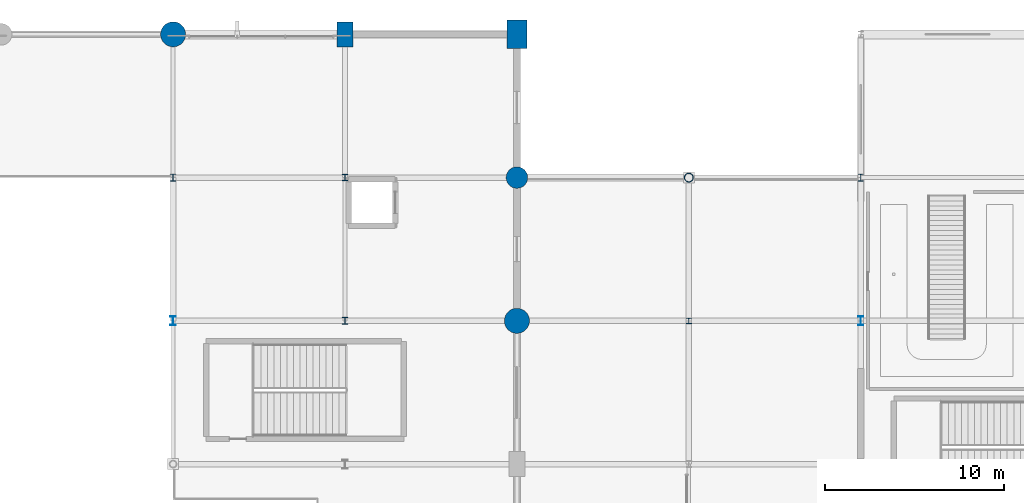
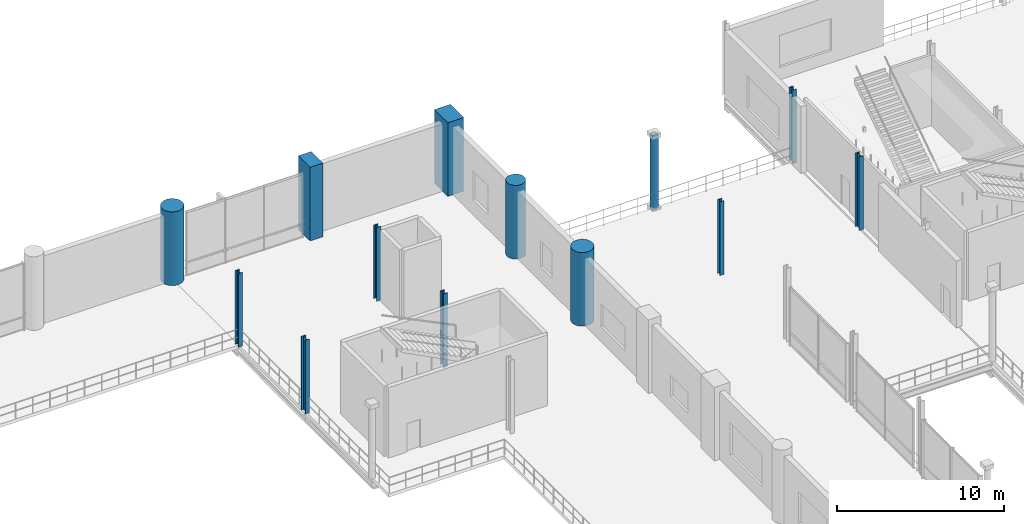
# One storey, part 24 of 129: 13 columns.
"""IFC4 building model written with IfcOpenShell, lengths in metres."""

from ifc_helpers import new_model, si_unit, direction, frame, origin, origin_2d, place, context, subcontext, project, spatial, rectangle, circle, hollow_circle, i_section, extrude, material, material_profile, profile_set, type_object, element, save


model = new_model("IFC4")

# Units and contexts
model_context = context("Model", 3, precision=1e-05, world=origin(), true_north=direction((0.0, 1.0)))
body_context = subcontext(model_context, "Body", "Model", "MODEL_VIEW")
ifc_project = project(units=[si_unit("LENGTHUNIT", "METRE"), si_unit("AREAUNIT", "SQUARE_METRE"), si_unit("VOLUMEUNIT", "CUBIC_METRE"), si_unit("PLANEANGLEUNIT", "RADIAN"), si_unit("MASSUNIT", "GRAM", prefix="KILO")], contexts=[model_context])

# Site, building, storey
site_placement = place(None, origin())
site = spatial("IfcSite", under=ifc_project, at=site_placement, CompositionType="ELEMENT")
building_placement = place(site_placement, origin())
building = spatial("IfcBuilding", under=site, at=building_placement, Name="Danafjord Basin Convention Centre", CompositionType="ELEMENT")
storey_placement = place(building_placement, frame((0.0, 0.0, 6.0)))
storey = spatial("IfcBuildingStorey", under=building, at=storey_placement, Name="L01", CompositionType="ELEMENT", Elevation=6.0)

# Columns
ifc_material_1 = material(Name="Steel S355", Category="steel")
ifc_material_profile_1 = material_profile(ifc_material_1, hollow_circle(Radius=0.25390625, WallThickness=0.02490234375, at=origin_2d()), Name="CHS 508.0x25.0")
ifc_profile_set_1 = profile_set([ifc_material_profile_1], Name="Steel S355")
column_type_1 = type_object("IfcColumnType", Name="COL-C-CHS508", PredefinedType="COLUMN", material=ifc_profile_set_1)
column_1_placement = place(storey_placement, frame((124.800048828125, 136.0, 0.0), z_axis=(0.0, 0.0, 1.0), x_axis=(1.0, 0.0, 0.0)))
element("IfcColumn", 1, at=column_1_placement, inside=storey, type_object=column_type_1, Name="L01 column C-CHS508 at (124.8, 136.0)", PredefinedType="COLUMN", context=body_context, shape_type="SweptSolid", body=[
    extrude(hollow_circle(Radius=0.25390625, WallThickness=0.02490234375, at=origin_2d()), origin(), (0.0, 0.0, 1.0), 5.39990234375),
])
ifc_material_profile_2 = material_profile(ifc_material_1, i_section(OverallWidth=0.300048828125, OverallDepth=0.300048828125, WebThickness=0.010986328125, FlangeThickness=0.01904296875, FilletRadius=0.027099609375, at=origin_2d()), Name="HEB 300")
ifc_profile_set_2 = profile_set([ifc_material_profile_2], Name="Steel S355")
column_type_2 = type_object("IfcColumnType", Name="COL-C-HEB300", PredefinedType="COLUMN", material=ifc_profile_set_2)
column_2_placement = place(storey_placement, frame((124.800048828125, 128.0, 0.0), z_axis=(0.0, 0.0, 1.0), x_axis=(1.0, 0.0, 0.0)))
element("IfcColumn", 2, at=column_2_placement, inside=storey, type_object=column_type_2, Name="L01 column C-HEB300 at (124.8, 128.0)", PredefinedType="COLUMN", context=body_context, shape_type="SweptSolid", body=[
    extrude(i_section(OverallWidth=0.300048828125, OverallDepth=0.300048828125, WebThickness=0.010986328125, FlangeThickness=0.01904296875, FilletRadius=0.027099609375, at=origin_2d()), origin(), (0.0, 0.0, 1.0), 5.39990234375),
])
ifc_material_profile_3 = material_profile(ifc_material_1, i_section(OverallWidth=0.300048828125, OverallDepth=0.360107421875, WebThickness=0.012451171875, FlangeThickness=0.0224609375, FilletRadius=0.027099609375, at=origin_2d()), Name="HEB 360")
ifc_profile_set_3 = profile_set([ifc_material_profile_3], Name="Steel S355")
column_type_3 = type_object("IfcColumnType", Name="COL-C-HEB360", PredefinedType="COLUMN", material=ifc_profile_set_3)
column_3_placement = place(storey_placement, frame((105.60009765625, 136.0, 0.0), z_axis=(0.0, 0.0, 1.0), x_axis=(1.0, 0.0, 0.0)))
element("IfcColumn", 3, at=column_3_placement, inside=storey, type_object=column_type_3, Name="L01 column C-HEB360 at (105.6, 136.0)", PredefinedType="COLUMN", context=body_context, shape_type="SweptSolid", body=[
    extrude(i_section(OverallWidth=0.300048828125, OverallDepth=0.360107421875, WebThickness=0.012451171875, FlangeThickness=0.0224609375, FilletRadius=0.027099609375, at=origin_2d()), origin(), (0.0, 0.0, 1.0), 5.39990234375),
])
ifc_material_profile_4 = material_profile(ifc_material_1, i_section(OverallWidth=0.300048828125, OverallDepth=0.39990234375, WebThickness=0.013427734375, FlangeThickness=0.02392578125, FilletRadius=0.027099609375, at=origin_2d()), Name="HEB 400")
ifc_profile_set_4 = profile_set([ifc_material_profile_4], Name="Steel S355")
column_type_4 = type_object("IfcColumnType", Name="COL-C-HEB400", PredefinedType="COLUMN", material=ifc_profile_set_4)
for number, where, z_axis, x_axis, name in (
    (4, (96.0, 136.0, 0.0), (0.0, 0.0, 1.0), (1.0, 0.0, 0.0), "L01 column C-HEB400 at (96.0, 136.0)"),
    (5, (105.60009765625, 128.0, 0.0), (0.0, 0.0, 1.0), (1.0, 0.0, 0.0), "L01 column C-HEB400 at (105.6, 128.0)"),
    (6, (134.39990234375, 136.0, 0.0), (0.0, 0.0, 1.0), (1.0, 0.0, 0.0), "L01 column C-HEB400 at (134.4, 136.0)"),
):
    element("IfcColumn", number, at=place(storey_placement, frame(where, z_axis=z_axis, x_axis=x_axis)), inside=storey, type_object=column_type_4, Name=name, PredefinedType="COLUMN", context=body_context, shape_type="SweptSolid", body=[
        extrude(i_section(OverallWidth=0.300048828125, OverallDepth=0.39990234375, WebThickness=0.013427734375, FlangeThickness=0.02392578125, FilletRadius=0.027099609375, at=origin_2d()), origin(), (0.0, 0.0, 1.0), 5.39990234375),
    ])
ifc_material_profile_5 = material_profile(ifc_material_1, i_section(OverallWidth=0.300048828125, OverallDepth=0.5, WebThickness=0.014404296875, FlangeThickness=0.028076171875, FilletRadius=0.027099609375, at=origin_2d()), Name="HEB 500")
ifc_profile_set_5 = profile_set([ifc_material_profile_5], Name="Steel S355")
column_type_5 = type_object("IfcColumnType", Name="COL-C-HEB500", PredefinedType="COLUMN", material=ifc_profile_set_5)
for number, where, z_axis, x_axis, name in (
    (7, (96.0, 128.0, 0.0), (0.0, 0.0, 1.0), (1.0, 0.0, 0.0), "L01 column C-HEB500 at (96.0, 128.0)"),
    (8, (134.39990234375, 128.0, 0.0), (0.0, 0.0, 1.0), (1.0, 0.0, 0.0), "L01 column C-HEB500 at (134.4, 128.0)"),
):
    element("IfcColumn", number, at=place(storey_placement, frame(where, z_axis=z_axis, x_axis=x_axis)), inside=storey, type_object=column_type_5, Name=name, PredefinedType="COLUMN", context=body_context, shape_type="SweptSolid", body=[
        extrude(i_section(OverallWidth=0.300048828125, OverallDepth=0.5, WebThickness=0.014404296875, FlangeThickness=0.028076171875, FilletRadius=0.027099609375, at=origin_2d()), origin(), (0.0, 0.0, 1.0), 5.39990234375),
    ])
ifc_material_2 = material(Name="Concrete C50/60", Category="concrete")
ifc_material_profile_6 = material_profile(ifc_material_2, rectangle(XDim=0.89990234375, YDim=1.39990234375, at=origin_2d()), Name="RC 1400x900")
ifc_profile_set_6 = profile_set([ifc_material_profile_6], Name="Concrete C50/60")
column_type_6 = type_object("IfcColumnType", Name="COL-C-RC1400", PredefinedType="COLUMN", material=ifc_profile_set_6)
column_4_placement = place(storey_placement, frame((105.60009765625, 144.0, 0.0), z_axis=(0.0, 0.0, 1.0), x_axis=(1.0, 0.0, 0.0)))
element("IfcColumn", 9, at=column_4_placement, inside=storey, type_object=column_type_6, Name="L01 column C-RC1400 at (105.6, 144.0)", PredefinedType="COLUMN", context=body_context, shape_type="SweptSolid", body=[
    extrude(rectangle(XDim=0.89990234375, YDim=1.39990234375, at=origin_2d()), origin(), (0.0, 0.0, 1.0), 5.39990234375),
])
ifc_material_profile_7 = material_profile(ifc_material_2, rectangle(XDim=1.10009765625, YDim=1.60009765625, at=origin_2d()), Name="RC 1600x1100")
ifc_profile_set_7 = profile_set([ifc_material_profile_7], Name="Concrete C50/60")
column_type_7 = type_object("IfcColumnType", Name="COL-C-RC1600", PredefinedType="COLUMN", material=ifc_profile_set_7)
column_5_placement = place(storey_placement, frame((115.199951171875, 144.0, 0.0), z_axis=(0.0, 0.0, 1.0), x_axis=(1.0, 0.0, 0.0)))
element("IfcColumn", 10, at=column_5_placement, inside=storey, type_object=column_type_7, Name="L01 column C-RC1600 at (115.2, 144.0)", PredefinedType="COLUMN", context=body_context, shape_type="SweptSolid", body=[
    extrude(rectangle(XDim=1.10009765625, YDim=1.60009765625, at=origin_2d()), origin(), (0.0, 0.0, 1.0), 5.39990234375),
])
ifc_material_profile_8 = material_profile(ifc_material_2, circle(Radius=0.60009765625, at=origin_2d()), Name="RC D1200")
ifc_profile_set_8 = profile_set([ifc_material_profile_8], Name="Concrete C50/60")
column_type_8 = type_object("IfcColumnType", Name="COL-C-RCD1200", PredefinedType="COLUMN", material=ifc_profile_set_8)
column_6_placement = place(storey_placement, frame((115.199951171875, 136.0, 0.0), z_axis=(0.0, 0.0, 1.0), x_axis=(1.0, 0.0, 0.0)))
element("IfcColumn", 11, at=column_6_placement, inside=storey, type_object=column_type_8, Name="L01 column C-RCD1200 at (115.2, 136.0)", PredefinedType="COLUMN", context=body_context, shape_type="SweptSolid", body=[
    extrude(circle(Radius=0.60009765625, at=origin_2d()), origin(), (0.0, 0.0, 1.0), 5.39990234375),
])
ifc_material_profile_9 = material_profile(ifc_material_2, circle(Radius=0.699951171875, at=origin_2d()), Name="RC D1400")
ifc_profile_set_9 = profile_set([ifc_material_profile_9], Name="Concrete C50/60")
column_type_9 = type_object("IfcColumnType", Name="COL-C-RCD1400", PredefinedType="COLUMN", material=ifc_profile_set_9)
for number, where, z_axis, x_axis, name in (
    (12, (96.0, 144.0, 0.0), (0.0, 0.0, 1.0), (1.0, 0.0, 0.0), "L01 column C-RCD1400 at (96.0, 144.0)"),
    (13, (115.199951171875, 128.0, 0.0), (0.0, 0.0, 1.0), (1.0, 0.0, 0.0), "L01 column C-RCD1400 at (115.2, 128.0)"),
):
    element("IfcColumn", number, at=place(storey_placement, frame(where, z_axis=z_axis, x_axis=x_axis)), inside=storey, type_object=column_type_9, Name=name, PredefinedType="COLUMN", context=body_context, shape_type="SweptSolid", body=[
        extrude(circle(Radius=0.699951171875, at=origin_2d()), origin(), (0.0, 0.0, 1.0), 5.39990234375),
    ])

save(model, "model.ifc")
